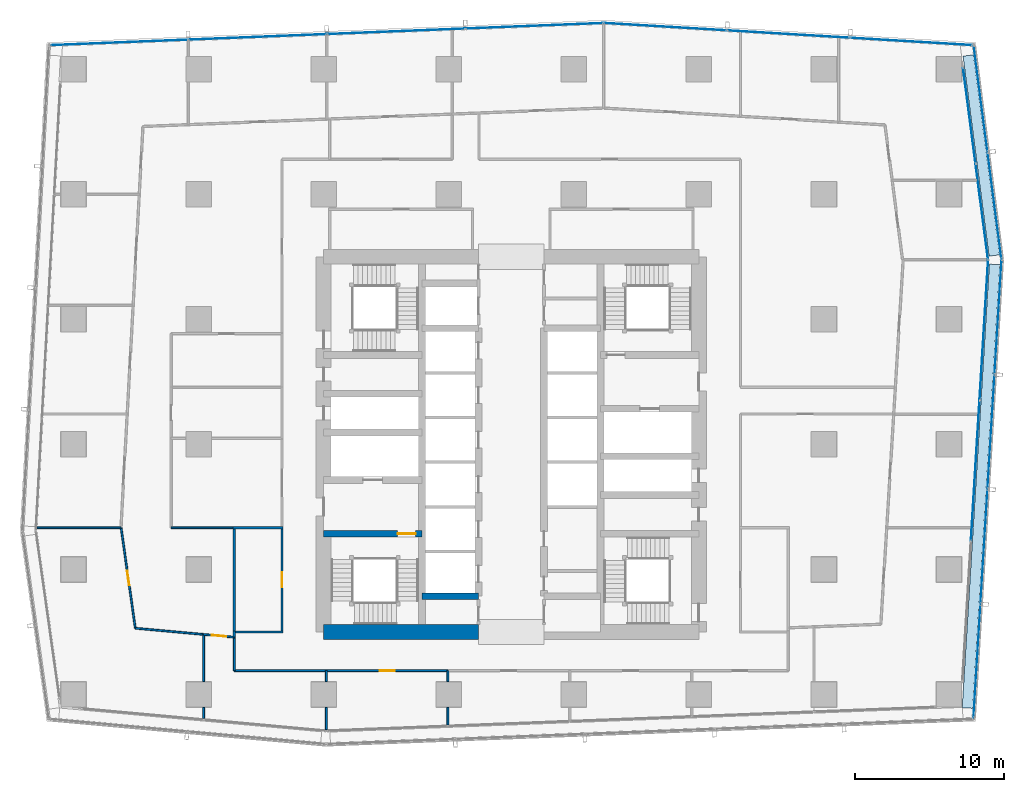
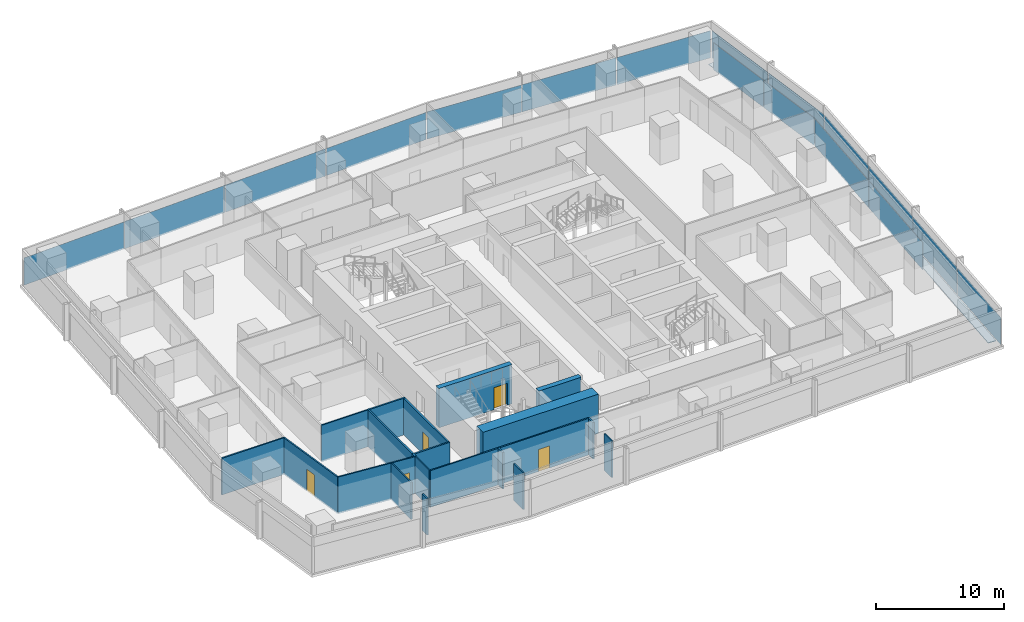
# One storey, part 28 of 40: 22 walls, 19 plates, 5 doors, 5 openings, 6 elements without a shape of their own.
"""IFC4 building model written with IfcOpenShell, lengths in metres."""

from ifc_helpers import new_model, si_unit, direction, frame, frame_2d, origin, origin_2d, place, context, subcontext, project, spatial, rectangle, extrude, material, layer, layer_set, type_object, element, fill, aggregate, save


model = new_model("IFC4")

# Units and contexts
model_context = context("Model", 3, precision=1e-05, world=origin(), true_north=direction((0.0, 1.0)))
body_context = subcontext(model_context, "Body", "Model", "MODEL_VIEW")
ifc_project = project(units=[si_unit("LENGTHUNIT", "METRE"), si_unit("AREAUNIT", "SQUARE_METRE"), si_unit("VOLUMEUNIT", "CUBIC_METRE"), si_unit("PLANEANGLEUNIT", "RADIAN"), si_unit("MASSUNIT", "GRAM", prefix="KILO")], contexts=[model_context])

# Site, building, storey
site_placement = place(None, origin())
site = spatial("IfcSite", under=ifc_project, at=site_placement, CompositionType="ELEMENT")
building_placement = place(site_placement, origin())
building = spatial("IfcBuilding", under=site, at=building_placement, Name="Rekha Terrace Tower", CompositionType="ELEMENT")
storey_placement = place(building_placement, frame((0.0, 0.0, 140.300048828125)))
storey = spatial("IfcBuildingStorey", under=building, at=storey_placement, Name="L35", CompositionType="ELEMENT", Elevation=140.300048828125)

# Curtain wall, plates
ifc_material_1 = material(Name="Aluminium framing", Category="aluminium")
curtain_wall_type_1 = type_object("IfcCurtainWallType", Name="CW1 double skin inner glazing", PredefinedType="USERDEFINED", material=ifc_material_1)
curtain_wall_1_placement = place(storey_placement, origin())
curtain_wall_1 = element("IfcCurtainWall", 1, at=curtain_wall_1_placement, inside=storey, type_object=curtain_wall_type_1, Name="CW1 double skin inner glazing", ObjectType="DOUBLE SKIN INNER GLAZING", PredefinedType="USERDEFINED")
ifc_material_2 = material(Name="Double-glazed low-e unit 32", Category="glass")
ifc_layer_1 = layer(ifc_material_2, 0.031982421875)
ifc_layer_set_1 = layer_set([ifc_layer_1], Name="Double-glazed low-e unit 32")
plate_type_1 = type_object("IfcPlateType", Name="CW1 jumbo vision panel, double-glazed low-e unit 32", PredefinedType="CURTAIN_PANEL", material=ifc_layer_set_1)
plate_1_placement = place(storey_placement, frame((68.968505859375, 31.8193359375, 0.0), z_axis=(0.0, 0.0, 1.0), x_axis=(0.061159803131, 0.998127987024, 0.0)))
plate_1 = element("IfcPlate", 2, at=plate_1_placement, type_object=plate_type_1, Name="CW1 panel 2.1", PredefinedType="CURTAIN_PANEL", context=body_context, shape_type="SweptSolid", body=[
    extrude(rectangle(XDim=9.3876953125, YDim=0.031982421875, at=origin_2d()), origin(), (0.0, 0.0, 1.0), 2.60009765625),
])
plate_2_placement = place(storey_placement, frame((69.547607421875, 41.2705078125, 0.0), z_axis=(0.0, 0.0, 1.0), x_axis=(0.061159803131, 0.998127987024, 0.0)))
plate_2 = element("IfcPlate", 3, at=plate_2_placement, type_object=plate_type_1, Name="CW1 panel 3.1", PredefinedType="CURTAIN_PANEL", context=body_context, shape_type="SweptSolid", body=[
    extrude(rectangle(XDim=9.420166015625, YDim=0.031982421875, at=origin_2d()), origin(), (0.0, 0.0, 1.0), 2.60009765625),
])
aggregate(curtain_wall_1, [plate_1, plate_2])

curtain_wall_2_placement = place(storey_placement, origin())
curtain_wall_2 = element("IfcCurtainWall", 4, at=curtain_wall_2_placement, inside=storey, type_object=curtain_wall_type_1, Name="CW1 double skin inner glazing", ObjectType="DOUBLE SKIN INNER GLAZING", PredefinedType="USERDEFINED")
plate_3_placement = place(storey_placement, frame((69.411376953125, 49.230712890625, 0.0), z_axis=(0.0, 0.0, 1.0), x_axis=(-0.129118383675, 0.991629186237, 0.0)))
plate_3 = element("IfcPlate", 5, at=plate_3_placement, type_object=plate_type_1, Name="CW1 panel 1.1", PredefinedType="CURTAIN_PANEL", context=body_context, shape_type="SweptSolid", body=[
    extrude(rectangle(XDim=6.443115234375, YDim=0.031982421875, at=origin_2d()), origin(), (0.0, 0.0, 1.0), 2.60009765625),
])
plate_4_placement = place(storey_placement, frame((68.571044921875, 55.68408203125, 0.0), z_axis=(0.0, 0.0, 1.0), x_axis=(-0.129118383675, 0.991629186237, 0.0)))
plate_4 = element("IfcPlate", 6, at=plate_4_placement, type_object=plate_type_1, Name="CW1 panel 2.1", PredefinedType="CURTAIN_PANEL", context=body_context, shape_type="SweptSolid", body=[
    extrude(rectangle(XDim=6.443115234375, YDim=0.031982421875, at=origin_2d()), origin(), (0.0, 0.0, 1.0), 2.60009765625),
])
aggregate(curtain_wall_2, [plate_3, plate_4])

curtain_wall_type_2 = type_object("IfcCurtainWallType", Name="CW2 double skin outer glazing", PredefinedType="USERDEFINED", material=ifc_material_1)
curtain_wall_3_placement = place(storey_placement, origin())
curtain_wall_3 = element("IfcCurtainWall", 7, at=curtain_wall_3_placement, inside=storey, type_object=curtain_wall_type_2, Name="CW2 double skin outer glazing", ObjectType="DOUBLE SKIN OUTER GLAZING", PredefinedType="USERDEFINED")
ifc_material_3 = material(Name="Toughened single glazing 12", Category="glass")
ifc_layer_2 = layer(ifc_material_3, 0.011962890625)
ifc_layer_set_2 = layer_set([ifc_layer_2], Name="Toughened single glazing 12")
plate_type_2 = type_object("IfcPlateType", Name="CW2 jumbo vision panel, toughened single glazing 12", PredefinedType="CURTAIN_PANEL", material=ifc_layer_set_2)
plate_5_placement = place(storey_placement, frame((69.086669921875, 19.0302734375, 0.0), z_axis=(0.0, 0.0, 1.0), x_axis=(0.061159803131, 0.998127987024, 0.0)))
plate_5 = element("IfcPlate", 8, at=plate_5_placement, type_object=plate_type_2, Name="CW2 panel 1.1", PredefinedType="CURTAIN_PANEL", context=body_context, shape_type="SweptSolid", body=[
    extrude(rectangle(XDim=7.6064453125, YDim=0.011962890625, at=origin_2d()), origin(), (0.0, 0.0, 1.0), 2.60009765625),
])
plate_6_placement = place(storey_placement, frame((69.557861328125, 26.722412109375, 0.0), z_axis=(0.0, 0.0, 1.0), x_axis=(0.061159803131, 0.998127987024, 0.0)))
plate_6 = element("IfcPlate", 9, at=plate_6_placement, type_object=plate_type_2, Name="CW2 panel 2.1", PredefinedType="CURTAIN_PANEL", context=body_context, shape_type="SweptSolid", body=[
    extrude(rectangle(XDim=7.646484375, YDim=0.011962890625, at=origin_2d()), origin(), (0.0, 0.0, 1.0), 2.60009765625),
])
plate_7_placement = place(storey_placement, frame((70.030517578125, 34.434326171875, 0.0), z_axis=(0.0, 0.0, 1.0), x_axis=(0.061159803131, 0.998127987024, 0.0)))
plate_7 = element("IfcPlate", 10, at=plate_7_placement, type_object=plate_type_2, Name="CW2 panel 3.1", PredefinedType="CURTAIN_PANEL", context=body_context, shape_type="SweptSolid", body=[
    extrude(rectangle(XDim=7.646484375, YDim=0.011962890625, at=origin_2d()), origin(), (0.0, 0.0, 1.0), 2.60009765625),
])
plate_8_placement = place(storey_placement, frame((70.50439453125, 42.16650390625, 0.0), z_axis=(0.0, 0.0, 1.0), x_axis=(0.061159803131, 0.998127987024, 0.0)))
plate_8 = element("IfcPlate", 11, at=plate_8_placement, type_object=plate_type_2, Name="CW2 panel 4.1", PredefinedType="CURTAIN_PANEL", context=body_context, shape_type="SweptSolid", body=[
    extrude(rectangle(XDim=7.6865234375, YDim=0.011962890625, at=origin_2d()), origin(), (0.0, 0.0, 1.0), 2.60009765625),
])
aggregate(curtain_wall_3, [plate_5, plate_6, plate_7, plate_8])

curtain_wall_4_placement = place(storey_placement, origin())
curtain_wall_4 = element("IfcCurtainWall", 12, at=curtain_wall_4_placement, inside=storey, type_object=curtain_wall_type_2, Name="CW2 double skin outer glazing", ObjectType="DOUBLE SKIN OUTER GLAZING", PredefinedType="USERDEFINED")
plate_9_placement = place(storey_placement, frame((70.2666015625, 49.6337890625, 0.0), z_axis=(0.0, 0.0, 1.0), x_axis=(-0.129118383623, 0.991629186244, 0.0)))
plate_9 = element("IfcPlate", 13, at=plate_9_placement, type_object=plate_type_2, Name="CW2 panel 1.1", PredefinedType="CURTAIN_PANEL", context=body_context, shape_type="SweptSolid", body=[
    extrude(rectangle(XDim=7.163818359375, YDim=0.011962890625, at=origin_2d()), origin(), (0.0, 0.0, 1.0), 2.60009765625),
])
plate_10_placement = place(storey_placement, frame((69.331298828125, 56.81689453125, 0.0), z_axis=(0.0, 0.0, 1.0), x_axis=(-0.129118383623, 0.991629186244, 0.0)))
plate_10 = element("IfcPlate", 14, at=plate_10_placement, type_object=plate_type_2, Name="CW2 panel 2.1", PredefinedType="CURTAIN_PANEL", context=body_context, shape_type="SweptSolid", body=[
    extrude(rectangle(XDim=7.163818359375, YDim=0.011962890625, at=origin_2d()), origin(), (0.0, 0.0, 1.0), 2.60009765625),
])
aggregate(curtain_wall_4, [plate_9, plate_10])

curtain_wall_type_3 = type_object("IfcCurtainWallType", Name="CW3 north unitised glazing", PredefinedType="USERDEFINED", material=ifc_material_1)
curtain_wall_5_placement = place(storey_placement, origin())
curtain_wall_5 = element("IfcCurtainWall", 15, at=curtain_wall_5_placement, inside=storey, type_object=curtain_wall_type_3, Name="CW3 unitised curtain wall", ObjectType="UNITISED CURTAIN WALL", PredefinedType="USERDEFINED")
ifc_material_4 = material(Name="Double-glazed unit 28", Category="glass")
ifc_layer_3 = layer(ifc_material_4, 0.028076171875)
ifc_layer_set_3 = layer_set([ifc_layer_3], Name="Double-glazed unit 28")
plate_type_3 = type_object("IfcPlateType", Name="CW3 jumbo vision panel, double-glazed unit 28", PredefinedType="CURTAIN_PANEL", material=ifc_layer_set_3)
plate_11_placement = place(storey_placement, frame((64.6748046875, 60.65966796875, 0.0), z_axis=(0.0, 0.0, 1.0), x_axis=(-0.998199102701, 0.059987926837, 0.0)))
plate_11 = element("IfcPlate", 16, at=plate_11_placement, type_object=plate_type_3, Name="CW3 panel 1.1", PredefinedType="CURTAIN_PANEL", context=body_context, shape_type="SweptSolid", body=[
    extrude(rectangle(XDim=8.171630859375, YDim=0.028076171875, at=origin_2d()), origin(), (0.0, 0.0, 1.0), 2.60009765625),
])
plate_12_placement = place(storey_placement, frame((56.430419921875, 61.155029296875, 0.0), z_axis=(0.0, 0.0, 1.0), x_axis=(-0.998199102701, 0.059987926837, 0.0)))
plate_12 = element("IfcPlate", 17, at=plate_12_placement, type_object=plate_type_3, Name="CW3 panel 2.1", PredefinedType="CURTAIN_PANEL", context=body_context, shape_type="SweptSolid", body=[
    extrude(rectangle(XDim=8.20654296875, YDim=0.028076171875, at=origin_2d()), origin(), (0.0, 0.0, 1.0), 2.60009765625),
])
plate_13_placement = place(storey_placement, frame((48.1513671875, 61.652587890625, 0.0), z_axis=(0.0, 0.0, 1.0), x_axis=(-0.998199102701, 0.059987926837, 0.0)))
plate_13 = element("IfcPlate", 18, at=plate_13_placement, type_object=plate_type_3, Name="CW3 panel 3.1", PredefinedType="CURTAIN_PANEL", context=body_context, shape_type="SweptSolid", body=[
    extrude(rectangle(XDim=8.24169921875, YDim=0.028076171875, at=origin_2d()), origin(), (0.0, 0.0, 1.0), 2.60009765625),
])
aggregate(curtain_wall_5, [plate_11, plate_12, plate_13])

curtain_wall_6_placement = place(storey_placement, origin())
curtain_wall_6 = element("IfcCurtainWall", 19, at=curtain_wall_6_placement, inside=storey, type_object=curtain_wall_type_3, Name="CW3 unitised curtain wall", ObjectType="UNITISED CURTAIN WALL", PredefinedType="USERDEFINED")
plate_14_placement = place(storey_placement, frame((39.364501953125, 61.71240234375, 0.0), z_axis=(0.0, 0.0, 1.0), x_axis=(-0.999198398721, -0.040031987119, 0.0)))
plate_14 = element("IfcPlate", 20, at=plate_14_placement, type_object=plate_type_3, Name="CW3 panel 1.1", PredefinedType="CURTAIN_PANEL", context=body_context, shape_type="SweptSolid", body=[
    extrude(rectangle(XDim=9.214599609375, YDim=0.028076171875, at=origin_2d()), origin(), (0.0, 0.0, 1.0), 2.60009765625),
])
plate_15_placement = place(storey_placement, frame((30.06982421875, 61.340087890625, 0.0), z_axis=(0.0, 0.0, 1.0), x_axis=(-0.999198398721, -0.040031987119, 0.0)))
plate_15 = element("IfcPlate", 21, at=plate_15_placement, type_object=plate_type_3, Name="CW3 panel 2.1", PredefinedType="CURTAIN_PANEL", context=body_context, shape_type="SweptSolid", body=[
    extrude(rectangle(XDim=9.24951171875, YDim=0.028076171875, at=origin_2d()), origin(), (0.0, 0.0, 1.0), 2.60009765625),
])
plate_16_placement = place(storey_placement, frame((20.7578125, 60.967041015625, 0.0), z_axis=(0.0, 0.0, 1.0), x_axis=(-0.999198398721, -0.040031987119, 0.0)))
plate_16 = element("IfcPlate", 22, at=plate_16_placement, type_object=plate_type_3, Name="CW3 panel 3.1", PredefinedType="CURTAIN_PANEL", context=body_context, shape_type="SweptSolid", body=[
    extrude(rectangle(XDim=9.24951171875, YDim=0.028076171875, at=origin_2d()), origin(), (0.0, 0.0, 1.0), 2.60009765625),
])
plate_17_placement = place(storey_placement, frame((11.46337890625, 60.5947265625, 0.0), z_axis=(0.0, 0.0, 1.0), x_axis=(-0.999198398721, -0.040031987119, 0.0)))
plate_17 = element("IfcPlate", 23, at=plate_17_placement, type_object=plate_type_3, Name="CW3 panel 4.1", PredefinedType="CURTAIN_PANEL", context=body_context, shape_type="SweptSolid", body=[
    extrude(rectangle(XDim=9.214599609375, YDim=0.028076171875, at=origin_2d()), origin(), (0.0, 0.0, 1.0), 2.60009765625),
])
aggregate(curtain_wall_6, [plate_14, plate_15, plate_16, plate_17])

# Plates
ifc_material_5 = material(Name="Galvanised steel open grating", Category="steel")
ifc_layer_4 = layer(ifc_material_5, 0.050048828125)
ifc_layer_set_4 = layer_set([ifc_layer_4], Name="Galvanised steel open grating")
plate_type_4 = type_object("IfcPlateType", Name="GT1 cavity walkway grating 50", PredefinedType="USERDEFINED", material=ifc_layer_set_4)
plate_18_placement = place(storey_placement, frame((69.356201171875, 30.78759765625, 0.0), z_axis=(0.0, 0.0, 1.0), x_axis=(0.061159803131, 0.998127987024, 0.0)))
element("IfcPlate", 24, at=plate_18_placement, inside=storey, type_object=plate_type_4, Name="Cavity walkway grating", ObjectType="CAVITY WALKWAY GRATING", PredefinedType="USERDEFINED", context=body_context, shape_type="SweptSolid", body=[
    extrude(rectangle(XDim=29.85595703125, YDim=0.705078125, at=origin_2d()), origin(), (0.0, 0.0, 1.0), 0.050048828125),
])
plate_19_placement = place(storey_placement, frame((69.373779296875, 53.004150390625, 0.0), z_axis=(0.0, 0.0, 1.0), x_axis=(-0.129118383623, 0.991629186244, 0.0)))
element("IfcPlate", 25, at=plate_19_placement, inside=storey, type_object=plate_type_4, Name="Cavity walkway grating", ObjectType="CAVITY WALKWAY GRATING", PredefinedType="USERDEFINED", context=body_context, shape_type="SweptSolid", body=[
    extrude(rectangle(XDim=13.552734375, YDim=0.705078125, at=origin_2d()), origin(), (0.0, 0.0, 1.0), 0.050048828125),
])

# Wall
ifc_material_6 = material(Name="Concrete M70", Category="concrete")
ifc_layer_5 = layer(ifc_material_6, 0.449951171875)
ifc_layer_set_5 = layer_set([ifc_layer_5], Name="Concrete M70")
wall_type_1 = type_object("IfcWallType", Name="CI2 450 core internal shear wall", PredefinedType="SHEAR", material=ifc_layer_set_5)
wall_1_placement = place(storey_placement, frame((31.800048828125, 23.39990234375, 0.0), z_axis=(0.0, 0.0, 1.0), x_axis=(1.0, 0.0, 0.0)))
element("IfcWall", 26, at=wall_1_placement, inside=storey, type_object=wall_type_1, Name="Core wall Y234W L35", PredefinedType="SHEAR", context=body_context, shape_type="SweptSolid", body=[
    extrude(rectangle(XDim=3.800048828125, YDim=0.449951171875, at=frame_2d((1.89990234375, 0.0))), origin(), (0.0, 0.0, 1.0), 3.75),
])

# Wall, opening, door
wall_2_placement = place(storey_placement, frame((25.199951171875, 27.60009765625, 0.0), z_axis=(0.0, 0.0, 1.0), x_axis=(1.0, 0.0, 0.0)))
wall_2 = element("IfcWall", 27, at=wall_2_placement, inside=storey, type_object=wall_type_1, Name="Core wall Y276W L35", PredefinedType="SHEAR", context=body_context, shape_type="SweptSolid", body=[
    extrude(rectangle(XDim=6.60009765625, YDim=0.449951171875, at=frame_2d((3.300048828125, 0.0))), origin(), (0.0, 0.0, 1.0), 3.75),
])
opening_1_placement = place(wall_2_placement, frame((4.97509765625, 0.0, 0.0)))
opening_1 = element("IfcOpeningElement", 28, at=opening_1_placement, cuts=wall_2, Name="Opening D1", PredefinedType="OPENING", context=body_context, shape_type="SweptSolid", body=[
    extrude(rectangle(XDim=1.199951171875, YDim=2.10009765625, at=frame_2d((0.60009765625, 1.050048828125))), frame((0.0, 0.23486328125, 0.0), z_axis=(0.0, -1.0, 0.0), x_axis=(1.0, 0.0, 0.0)), (0.0, 0.0, 1.0), 0.469970703125),
])
ifc_material_7 = material(Name="Steel fire door", Category="steel")
door_type_1 = type_object("IfcDoorType", Name="D1 1200x2100 stair fire door", OperationType="SINGLE_SWING_RIGHT", PredefinedType="DOOR", material=ifc_material_7)
door_1_placement = place(opening_1_placement, origin())
door_1 = element("IfcDoor", 29, at=door_1_placement, inside=storey, type_object=door_type_1, Name="Stair ST1 door L35", OperationType="SINGLE_SWING_RIGHT", OverallHeight=2.10009765625, OverallWidth=1.199951171875, PredefinedType="DOOR", context=body_context, shape_type="SweptSolid", body=[
    extrude(rectangle(XDim=1.199951171875, YDim=2.10009765625, at=frame_2d((0.60009765625, 1.050048828125))), frame((0.0, 0.02490234375, 0.0), z_axis=(0.0, -1.0, 0.0), x_axis=(1.0, 0.0, 0.0)), (0.0, 0.0, 1.0), 0.050048828125),
])
fill(opening_1, door_1)

# Walls
ifc_layer_6 = layer(ifc_material_6, 1.0)
ifc_layer_set_6 = layer_set([ifc_layer_6], Name="Concrete M70")
wall_type_2 = type_object("IfcWallType", Name="SW2 1000 core outer shear wall", PredefinedType="SHEAR", material=ifc_layer_set_6)
wall_3_placement = place(storey_placement, frame((25.199951171875, 21.0, 0.0), z_axis=(0.0, 0.0, 1.0), x_axis=(1.0, 0.0, 0.0)))
element("IfcWall", 30, at=wall_3_placement, inside=storey, type_object=wall_type_2, Name="Core wall S1 L35", PredefinedType="SHEAR", context=body_context, shape_type="SweptSolid", body=[
    extrude(rectangle(XDim=10.400146484375, YDim=1.0, at=frame_2d((5.2001953125, 0.0))), origin(), (0.0, 0.0, 1.0), 3.75),
])
ifc_material_8 = material(Name="Concrete block masonry, 1 hour", Category="masonry")
ifc_layer_7 = layer(ifc_material_8, 0.14990234375)
ifc_layer_set_7 = layer_set([ifc_layer_7], Name="Concrete block masonry, 1 hour")
wall_type_3 = type_object("IfcWallType", Name="WP2 150 tenancy partition", PredefinedType="PARTITIONING", material=ifc_layer_set_7)
for number, where, z_axis, x_axis, name in (
    (31, (19.125, 21.0, 0.0), (0.0, 0.0, 1.0), (1.0, 0.0, 0.0), "Men's WC wall L35"),
    (32, (19.125, 28.0, 0.0), (0.0, 0.0, 1.0), (1.0, 0.0, 0.0), "Men's WC wall L35"),
):
    element("IfcWall", number, at=place(storey_placement, frame(where, z_axis=z_axis, x_axis=x_axis)), inside=storey, type_object=wall_type_3, Name=name, PredefinedType="PARTITIONING", context=body_context, shape_type="SweptSolid", body=[
        extrude(rectangle(XDim=3.35009765625, YDim=0.14990234375, at=frame_2d((1.675048828125, 0.0))), origin(), (0.0, 0.0, 1.0), 3.5),
    ])
wall_4_placement = place(storey_placement, frame((19.199951171875, 21.074951171875, 0.0), z_axis=(0.0, 0.0, 1.0), x_axis=(0.0, 1.0, 0.0)))
element("IfcWall", 33, at=wall_4_placement, inside=storey, type_object=wall_type_3, Name="Men's WC wall L35", PredefinedType="PARTITIONING", context=body_context, shape_type="SweptSolid", body=[
    extrude(rectangle(XDim=6.85009765625, YDim=0.14990234375, at=frame_2d((3.425048828125, 0.0))), origin(), (0.0, 0.0, 1.0), 3.5),
])

# Wall, opening, door
wall_5_placement = place(storey_placement, frame((22.39990234375, 21.074951171875, 0.0), z_axis=(0.0, 0.0, 1.0), x_axis=(0.0, 1.0, 0.0)))
wall_5 = element("IfcWall", 34, at=wall_5_placement, inside=storey, type_object=wall_type_3, Name="Men's WC wall L35", PredefinedType="PARTITIONING", context=body_context, shape_type="SweptSolid", body=[
    extrude(rectangle(XDim=6.85009765625, YDim=0.14990234375, at=frame_2d((3.425048828125, 0.0))), origin(), (0.0, 0.0, 1.0), 3.5),
])
opening_2_placement = place(wall_5_placement, frame((2.925048828125, 0.0, 0.0)))
opening_2 = element("IfcOpeningElement", 35, at=opening_2_placement, cuts=wall_5, Name="Opening D3", PredefinedType="OPENING", context=body_context, shape_type="SweptSolid", body=[
    extrude(rectangle(XDim=1.0, YDim=2.10009765625, at=frame_2d((0.5, 1.050048828125))), frame((0.0, 0.0849609375, 0.0), z_axis=(0.0, -1.0, 0.0), x_axis=(1.0, 0.0, 0.0)), (0.0, 0.0, 1.0), 0.169921875),
])
ifc_material_9 = material(Name="Laminated timber fire door", Category="wood")
door_type_2 = type_object("IfcDoorType", Name="D3 1000x2100 WC door", OperationType="SINGLE_SWING_LEFT", PredefinedType="DOOR", material=ifc_material_9)
door_2_placement = place(opening_2_placement, origin())
door_2 = element("IfcDoor", 36, at=door_2_placement, inside=storey, type_object=door_type_2, Name="Door men's wc L35", OperationType="SINGLE_SWING_LEFT", OverallHeight=2.10009765625, OverallWidth=1.0, PredefinedType="DOOR", context=body_context, shape_type="SweptSolid", body=[
    extrude(rectangle(XDim=1.0, YDim=2.10009765625, at=frame_2d((0.5, 1.050048828125))), frame((0.0, 0.02490234375, 0.0), z_axis=(0.0, -1.0, 0.0), x_axis=(1.0, 0.0, 0.0)), (0.0, 0.0, 1.0), 0.050048828125),
])
fill(opening_2, door_2)

# Walls
wall_6_placement = place(storey_placement, frame((19.199951171875, 21.074951171875, 0.0), z_axis=(0.0, 0.0, 1.0), x_axis=(0.0, -1.0, 0.0)))
element("IfcWall", 37, at=wall_6_placement, inside=storey, type_object=wall_type_3, Name="Partition L35-O2", PredefinedType="PARTITIONING", context=body_context, shape_type="SweptSolid", body=[
    extrude(rectangle(XDim=0.430908203125, YDim=0.14990234375, at=frame_2d((0.21533203125, 0.0))), origin(), (0.0, 0.0, 1.0), 3.5),
])
ifc_material_10 = material(Name="Two layers of fire-rated gypsum board each side on steel studs, acoustic quilt, 1 hour", Category="steel")
ifc_layer_8 = layer(ifc_material_10, 0.125)
ifc_layer_set_8 = layer_set([ifc_layer_8], Name="Two layers of fire-rated gypsum board each side on steel studs, acoustic quilt, 1 hour")
wall_type_4 = type_object("IfcWallType", Name="WP3 125 office partition", PredefinedType="PARTITIONING", material=ifc_layer_set_8)
wall_7_placement = place(storey_placement, frame((11.5830078125, 28.0, 0.0), z_axis=(0.0, 0.0, 1.0), x_axis=(-1.0, 0.0, 0.0)))
element("IfcWall", 38, at=wall_7_placement, inside=storey, type_object=wall_type_4, Name="Partition L35-18", PredefinedType="PARTITIONING", context=body_context, shape_type="SweptSolid", body=[
    extrude(rectangle(XDim=5.62890625, YDim=0.125, at=frame_2d((2.814453125, 0.0))), origin(), (0.0, 0.0, 1.0), 3.5),
])

# Wall, opening, door
wall_8_placement = place(storey_placement, frame((11.593994140625, 27.9990234375, 0.0), z_axis=(0.0, 0.0, 1.0), x_axis=(0.139621335816, -0.990204969986, 0.0)))
wall_8 = element("IfcWall", 39, at=wall_8_placement, inside=storey, type_object=wall_type_4, Name="Partition L35-19", PredefinedType="PARTITIONING", context=body_context, shape_type="SweptSolid", body=[
    extrude(rectangle(XDim=6.81787109375, YDim=0.125, at=frame_2d((3.408935546875, 0.0))), origin(), (0.0, 0.0, 1.0), 3.5),
])
opening_3_placement = place(wall_8_placement, frame((2.908935546875, 0.0, 0.0)))
opening_3 = element("IfcOpeningElement", 40, at=opening_3_placement, cuts=wall_8, Name="Opening D9", PredefinedType="OPENING", context=body_context, shape_type="SweptSolid", body=[
    extrude(rectangle(XDim=1.0, YDim=2.10009765625, at=frame_2d((0.5, 1.050048828125))), frame((0.0, 0.072509765625, 0.0), z_axis=(0.0, -1.0, 0.0), x_axis=(1.0, 0.0, 0.0)), (0.0, 0.0, 1.0), 0.14501953125),
])
ifc_material_11 = material(Name="Timber fire door", Category="wood")
door_type_3 = type_object("IfcDoorType", Name="D9 1000x2100 office door", OperationType="SINGLE_SWING_LEFT", PredefinedType="DOOR", material=ifc_material_11)
door_3_placement = place(opening_3_placement, origin())
door_3 = element("IfcDoor", 41, at=door_3_placement, inside=storey, type_object=door_type_3, Name="Door director's office L35", OperationType="SINGLE_SWING_LEFT", OverallHeight=2.10009765625, OverallWidth=1.0, PredefinedType="DOOR", context=body_context, shape_type="SweptSolid", body=[
    extrude(rectangle(XDim=1.0, YDim=2.10009765625, at=frame_2d((0.5, 1.050048828125))), frame((0.0, 0.02490234375, 0.0), z_axis=(0.0, -1.0, 0.0), x_axis=(1.0, 0.0, 0.0)), (0.0, 0.0, 1.0), 0.050048828125),
])
fill(opening_3, door_3)

# Walls
wall_9_placement = place(storey_placement, frame((12.5458984375, 21.248046875, 0.0), z_axis=(0.0, 0.0, 1.0), x_axis=(0.995895378021, -0.090511855779, 0.0)))
element("IfcWall", 42, at=wall_9_placement, inside=storey, type_object=wall_type_4, Name="Partition L35-19", PredefinedType="PARTITIONING", context=body_context, shape_type="SweptSolid", body=[
    extrude(rectangle(XDim=4.60693359375, YDim=0.125, at=frame_2d((2.303466796875, 0.0))), origin(), (0.0, 0.0, 1.0), 3.5),
])
wall_10_placement = place(storey_placement, frame((17.134033203125, 20.8310546875, 0.0), z_axis=(0.0, 0.0, 1.0), x_axis=(0.0, -1.0, 0.0)))
element("IfcWall", 43, at=wall_10_placement, inside=storey, type_object=wall_type_4, Name="Partition L35-19", PredefinedType="PARTITIONING", context=body_context, shape_type="SweptSolid", body=[
    extrude(rectangle(XDim=3.1611328125, YDim=0.125, at=frame_2d((1.58056640625, 0.0))), origin(), (0.0, 0.0, 1.0), 3.5),
])
wall_11_placement = place(storey_placement, frame((17.134033203125, 15.929931640625, 0.0), z_axis=(0.0, 0.0, 1.0), x_axis=(0.0, -1.0, 0.0)))
element("IfcWall", 44, at=wall_11_placement, inside=storey, type_object=wall_type_4, Name="Partition L35-19", PredefinedType="PARTITIONING", context=body_context, shape_type="SweptSolid", body=[
    extrude(rectangle(XDim=0.741943359375, YDim=0.125, at=frame_2d((0.37109375, 0.0))), origin(), (0.0, 0.0, 1.0), 3.5),
])

# Wall, opening, door
wall_12_placement = place(storey_placement, frame((17.135009765625, 20.8310546875, 0.0), z_axis=(0.0, 0.0, 1.0), x_axis=(0.995924033596, -0.090196004934, 0.0)))
wall_12 = element("IfcWall", 45, at=wall_12_placement, inside=storey, type_object=wall_type_4, Name="Partition L35-20", PredefinedType="PARTITIONING", context=body_context, shape_type="SweptSolid", body=[
    extrude(rectangle(XDim=2.073486328125, YDim=0.125, at=frame_2d((1.03662109375, 0.0))), origin(), (0.0, 0.0, 1.0), 3.5),
])
opening_4_placement = place(wall_12_placement, frame((0.537109375, 0.0, 0.0)))
opening_4 = element("IfcOpeningElement", 46, at=opening_4_placement, cuts=wall_12, Name="Opening D9", PredefinedType="OPENING", context=body_context, shape_type="SweptSolid", body=[
    extrude(rectangle(XDim=1.0, YDim=2.10009765625, at=frame_2d((0.5, 1.050048828125))), frame((0.0, 0.072509765625, 0.0), z_axis=(0.0, -1.0, 0.0), x_axis=(1.0, 0.0, 0.0)), (0.0, 0.0, 1.0), 0.14501953125),
])
door_4_placement = place(opening_4_placement, origin())
door_4 = element("IfcDoor", 47, at=door_4_placement, inside=storey, type_object=door_type_3, Name="Door print room L35", OperationType="SINGLE_SWING_LEFT", OverallHeight=2.10009765625, OverallWidth=1.0, PredefinedType="DOOR", context=body_context, shape_type="SweptSolid", body=[
    extrude(rectangle(XDim=1.0, YDim=2.10009765625, at=frame_2d((0.5, 1.050048828125))), frame((0.0, 0.02490234375, 0.0), z_axis=(0.0, -1.0, 0.0), x_axis=(1.0, 0.0, 0.0)), (0.0, 0.0, 1.0), 0.050048828125),
])
fill(opening_4, door_4)

# Walls
wall_13_placement = place(storey_placement, frame((19.199951171875, 20.64404296875, 0.0), z_axis=(0.0, 0.0, 1.0), x_axis=(0.0, -1.0, 0.0)))
element("IfcWall", 48, at=wall_13_placement, inside=storey, type_object=wall_type_4, Name="Partition L35-20", PredefinedType="PARTITIONING", context=body_context, shape_type="SweptSolid", body=[
    extrude(rectangle(XDim=2.244140625, YDim=0.125, at=frame_2d((1.1220703125, 0.0))), origin(), (0.0, 0.0, 1.0), 3.5),
])
wall_14_placement = place(storey_placement, frame((19.199951171875, 18.39990234375, 0.0), z_axis=(0.0, 0.0, 1.0), x_axis=(1.0, 0.0, 0.0)))
element("IfcWall", 49, at=wall_14_placement, inside=storey, type_object=wall_type_4, Name="Partition L35-20", PredefinedType="PARTITIONING", context=body_context, shape_type="SweptSolid", body=[
    extrude(rectangle(XDim=6.178955078125, YDim=0.125, at=frame_2d((3.08935546875, 0.0))), origin(), (0.0, 0.0, 1.0), 3.5),
])
wall_15_placement = place(storey_placement, frame((25.37890625, 18.39990234375, 0.0), z_axis=(0.0, 0.0, 1.0), x_axis=(0.0, -1.0, 0.0)))
element("IfcWall", 50, at=wall_15_placement, inside=storey, type_object=wall_type_4, Name="Partition L35-20", PredefinedType="PARTITIONING", context=body_context, shape_type="SweptSolid", body=[
    extrude(rectangle(XDim=0.72998046875, YDim=0.125, at=frame_2d((0.364990234375, 0.0))), origin(), (0.0, 0.0, 1.0), 3.5),
])
wall_16_placement = place(storey_placement, frame((25.37890625, 15.929931640625, 0.0), z_axis=(0.0, 0.0, 1.0), x_axis=(0.0, -1.0, 0.0)))
element("IfcWall", 51, at=wall_16_placement, inside=storey, type_object=wall_type_4, Name="Partition L35-20", PredefinedType="PARTITIONING", context=body_context, shape_type="SweptSolid", body=[
    extrude(rectangle(XDim=1.48681640625, YDim=0.125, at=frame_2d((0.743408203125, 0.0))), origin(), (0.0, 0.0, 1.0), 3.5),
])

# Wall, opening, door
wall_17_placement = place(storey_placement, frame((25.3798828125, 18.39990234375, 0.0), z_axis=(0.0, 0.0, 1.0), x_axis=(1.0, 0.0, 0.0)))
wall_17 = element("IfcWall", 52, at=wall_17_placement, inside=storey, type_object=wall_type_4, Name="Partition L35-21", PredefinedType="PARTITIONING", context=body_context, shape_type="SweptSolid", body=[
    extrude(rectangle(XDim=8.1640625, YDim=0.125, at=frame_2d((4.08203125, 0.0))), origin(), (0.0, 0.0, 1.0), 3.5),
])
opening_5_placement = place(wall_17_placement, frame((3.58203125, 0.0, 0.0)))
opening_5 = element("IfcOpeningElement", 53, at=opening_5_placement, cuts=wall_17, Name="Opening D9", PredefinedType="OPENING", context=body_context, shape_type="SweptSolid", body=[
    extrude(rectangle(XDim=1.0, YDim=2.10009765625, at=frame_2d((0.5, 1.050048828125))), frame((0.0, 0.072509765625, 0.0), z_axis=(0.0, -1.0, 0.0), x_axis=(1.0, 0.0, 0.0)), (0.0, 0.0, 1.0), 0.14501953125),
])
door_5_placement = place(opening_5_placement, origin())
door_5 = element("IfcDoor", 54, at=door_5_placement, inside=storey, type_object=door_type_3, Name="Door office L35", OperationType="SINGLE_SWING_LEFT", OverallHeight=2.10009765625, OverallWidth=1.0, PredefinedType="DOOR", context=body_context, shape_type="SweptSolid", body=[
    extrude(rectangle(XDim=1.0, YDim=2.10009765625, at=frame_2d((0.5, 1.050048828125))), frame((0.0, 0.02490234375, 0.0), z_axis=(0.0, -1.0, 0.0), x_axis=(1.0, 0.0, 0.0)), (0.0, 0.0, 1.0), 0.050048828125),
])
fill(opening_5, door_5)

# Walls
wall_18_placement = place(storey_placement, frame((33.5439453125, 18.39990234375, 0.0), z_axis=(0.0, 0.0, 1.0), x_axis=(0.0, -1.0, 0.0)))
element("IfcWall", 55, at=wall_18_placement, inside=storey, type_object=wall_type_4, Name="Partition L35-21", PredefinedType="PARTITIONING", context=body_context, shape_type="SweptSolid", body=[
    extrude(rectangle(XDim=0.72998046875, YDim=0.125, at=frame_2d((0.364990234375, 0.0))), origin(), (0.0, 0.0, 1.0), 3.5),
])
wall_19_placement = place(storey_placement, frame((33.5439453125, 15.929931640625, 0.0), z_axis=(0.0, 0.0, 1.0), x_axis=(0.0, -1.0, 0.0)))
element("IfcWall", 56, at=wall_19_placement, inside=storey, type_object=wall_type_4, Name="Partition L35-21", PredefinedType="PARTITIONING", context=body_context, shape_type="SweptSolid", body=[
    extrude(rectangle(XDim=1.1689453125, YDim=0.125, at=frame_2d((0.58447265625, 0.0))), origin(), (0.0, 0.0, 1.0), 3.5),
])
wall_20_placement = place(storey_placement, frame((19.125, 28.0, 0.0), z_axis=(0.0, 0.0, 1.0), x_axis=(-1.0, 0.0, 0.0)))
element("IfcWall", 57, at=wall_20_placement, inside=storey, type_object=wall_type_4, Name="Partition L35-22", PredefinedType="PARTITIONING", context=body_context, shape_type="SweptSolid", body=[
    extrude(rectangle(XDim=4.175048828125, YDim=0.125, at=frame_2d((2.08740234375, 0.0))), origin(), (0.0, 0.0, 1.0), 3.5),
])

save(model, "model.ifc")
